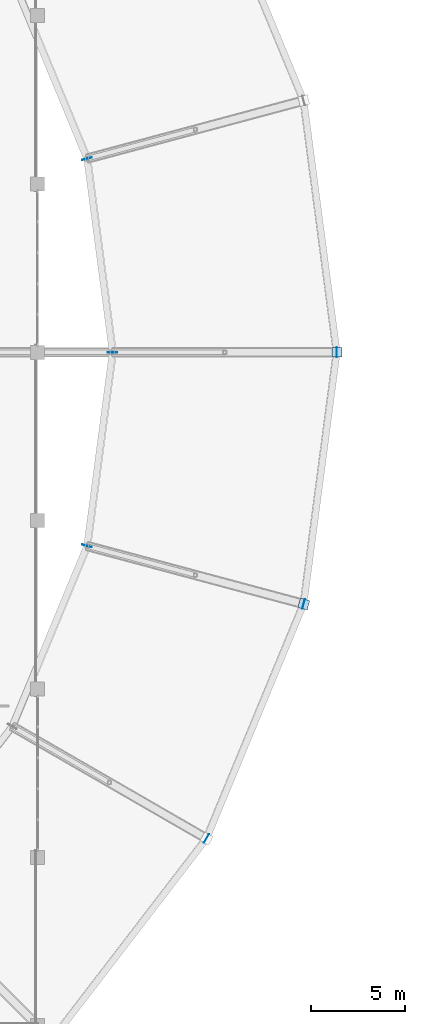
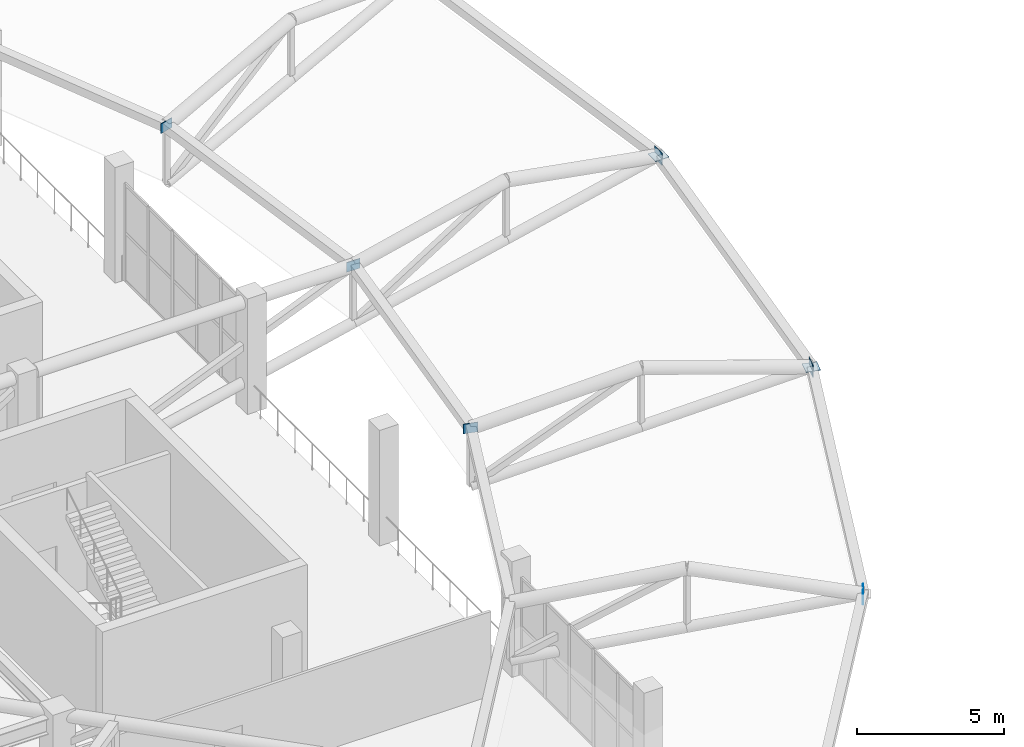
# One storey, part 134 of 167: 8 plates.
"""IFC4 building model written with IfcOpenShell, lengths in metres."""

from ifc_helpers import new_model, si_unit, direction, frame, origin, origin_2d, place, context, subcontext, project, spatial, rectangle, extrude, material, layer, layer_set, type_object, element, save


model = new_model("IFC4")

# Units and contexts
model_context = context("Model", 3, precision=1e-05, world=origin(), true_north=direction((0.0, 1.0)))
body_context = subcontext(model_context, "Body", "Model", "MODEL_VIEW")
ifc_project = project(units=[si_unit("LENGTHUNIT", "METRE"), si_unit("AREAUNIT", "SQUARE_METRE"), si_unit("VOLUMEUNIT", "CUBIC_METRE"), si_unit("PLANEANGLEUNIT", "RADIAN"), si_unit("MASSUNIT", "GRAM", prefix="KILO")], contexts=[model_context])

# Site, building, storey
site_placement = place(None, origin())
site = spatial("IfcSite", under=ifc_project, at=site_placement, CompositionType="ELEMENT")
building_placement = place(site_placement, origin())
building = spatial("IfcBuilding", under=site, at=building_placement, Name="Dornveld Trade and Exhibition Forum", CompositionType="ELEMENT")
storey_placement = place(building_placement, frame((0.0, 0.0, 16.800048828125)))
storey = spatial("IfcBuildingStorey", under=building, at=storey_placement, Name="L03", CompositionType="ELEMENT", Elevation=16.800048828125)

# Plates
ifc_material_1 = material(Name="Steel S355J2", Category="steel")
ifc_layer_1 = layer(ifc_material_1, 0.02001953125)
ifc_layer_set_1 = layer_set([ifc_layer_1], Name="Steel S355J2")
plate_type_1 = type_object("IfcPlateType", Name="PL-CAP-520x20", PredefinedType="SHEET", material=ifc_layer_set_1)
for number, where, z_axis, x_axis, name in (
    (1, (169.0, 81.0, 4.7900390625), (0.0, 0.0, 1.0), (1.0, 0.0, 0.0), "Floating disc tip closure plate 1"),
    (2, (167.22802734375, 67.54150390625, 4.7900390625), (0.0, 0.0, 1.0), (0.965925826289, -0.258819045103, 0.0), "Floating disc tip closure plate 24"),
):
    element("IfcPlate", number, at=place(storey_placement, frame(where, z_axis=z_axis, x_axis=x_axis)), inside=storey, type_object=plate_type_1, Name=name, PredefinedType="SHEET", context=body_context, shape_type="SweptSolid", body=[
        extrude(rectangle(XDim=0.52001953125, YDim=0.52001953125, at=origin_2d()), origin(), (0.0, 0.0, 1.0), 0.02001953125),
    ])
for number, where, z_axis, x_axis, name in (
    (3, (168.989990234375, 81.0, 4.5400390625), (0.0, 0.0, 1.0), (1.0, 0.0, 0.0), "Floating roof disc radial tip cap plate 1"),
    (4, (162.02490234375, 55.0048828125, 4.5400390625), (0.0, 0.0, 1.0), (0.866025403784, -0.5, 0.0), "Floating roof disc radial tip cap plate 23"),
    (5, (167.218017578125, 67.5439453125, 4.5400390625), (0.0, 0.0, 1.0), (0.965925826289, -0.258819045103, 0.0), "Floating roof disc radial tip cap plate 24"),
):
    element("IfcPlate", number, at=place(storey_placement, frame(where, z_axis=z_axis, x_axis=x_axis)), inside=storey, type_object=plate_type_1, Name=name, PredefinedType="SHEET", context=body_context, shape_type="SweptSolid", body=[
        extrude(rectangle(XDim=0.02001953125, YDim=0.52001953125, at=origin_2d()), origin(), (0.0, 0.0, 1.0), 0.52001953125),
    ])
ifc_material_2 = material(Name="Steel S355J2", Category="steel")
ifc_layer_2 = layer(ifc_material_2, 0.030029296875)
ifc_layer_set_2 = layer_set([ifc_layer_2], Name="Steel S355J2")
plate_type_2 = type_object("IfcPlateType", Name="PL-NODE-01", PredefinedType="USERDEFINED", material=ifc_layer_set_2)
plate_1_placement = place(storey_placement, frame((157.0, 81.0, 4.25), z_axis=(0.0, 0.0, 1.0), x_axis=(1.0, 0.0, 0.0)))
element("IfcPlate", 6, at=plate_1_placement, inside=storey, type_object=plate_type_2, Name="Floating disc core-ring gusset 1", ObjectType="GUSSET", PredefinedType="USERDEFINED", context=body_context, shape_type="SweptSolid", body=[
    extrude(rectangle(XDim=0.52001953125, YDim=0.028076171875, at=origin_2d()), origin(), (0.0, 0.0, 1.0), 0.39990234375),
])
ifc_material_3 = material(Name="Steel S355J2", Category="steel")
ifc_layer_3 = layer(ifc_material_3, 0.02587890625)
ifc_layer_set_3 = layer_set([ifc_layer_3], Name="Steel S355J2")
plate_type_3 = type_object("IfcPlateType", Name="PL-NODE-02", PredefinedType="USERDEFINED", material=ifc_layer_set_3)
plate_2_placement = place(storey_placement, frame((155.636962890625, 91.352783203125, 4.25), z_axis=(0.0, 0.0, 1.0), x_axis=(0.965925826289, 0.258819045103, 0.0)))
element("IfcPlate", 7, at=plate_2_placement, inside=storey, type_object=plate_type_3, Name="Floating disc core-ring gusset 2", ObjectType="GUSSET", PredefinedType="USERDEFINED", context=body_context, shape_type="SweptSolid", body=[
    extrude(rectangle(XDim=0.52001953125, YDim=0.028076171875, at=origin_2d()), origin(), (0.0, 0.0, 1.0), 0.39990234375),
])
ifc_material_4 = material(Name="Steel S355J2", Category="steel")
ifc_layer_4 = layer(ifc_material_4, 0.013916015625)
ifc_layer_set_4 = layer_set([ifc_layer_4], Name="Steel S355J2")
plate_type_4 = type_object("IfcPlateType", Name="PL-NODE-08", PredefinedType="USERDEFINED", material=ifc_layer_set_4)
plate_3_placement = place(storey_placement, frame((155.636962890625, 70.647216796875, 4.25), z_axis=(0.0, 0.0, 1.0), x_axis=(0.965925826289, -0.258819045103, 0.0)))
element("IfcPlate", 8, at=plate_3_placement, inside=storey, type_object=plate_type_4, Name="Floating disc core-ring gusset 24", ObjectType="GUSSET", PredefinedType="USERDEFINED", context=body_context, shape_type="SweptSolid", body=[
    extrude(rectangle(XDim=0.52001953125, YDim=0.028076171875, at=origin_2d()), origin(), (0.0, 0.0, 1.0), 0.39990234375),
])

save(model, "model.ifc")
